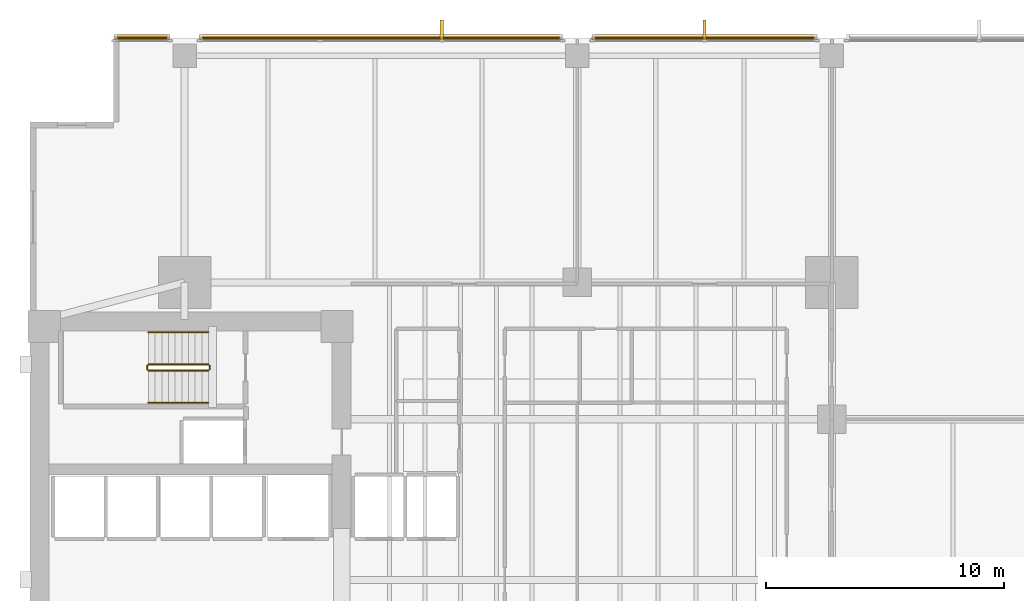
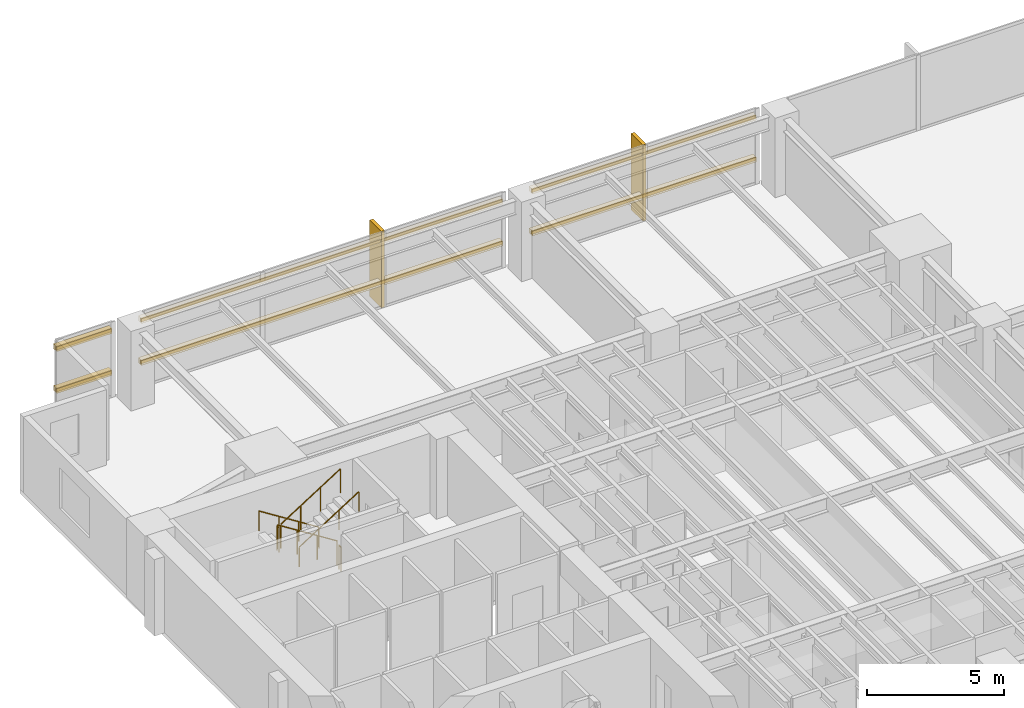
# One storey, part 14 of 15: 8 coverings, 6 railings, 6 shading devices.
"""IFC4 building model written with IfcOpenShell, lengths in metres."""

from ifc_helpers import new_model, si_unit, direction, frame, origin, origin_2d, place, context, subcontext, project, spatial, polyline, rectangle, circle, outline, extrude, material, layer, layer_set, material_profile, profile_set, type_object, element, save


model = new_model("IFC4")

# Units and contexts
model_context = context("Model", 3, precision=1e-05, world=origin(), true_north=direction((0.0, 1.0)))
body_context = subcontext(model_context, "Body", "Model", "MODEL_VIEW")
ifc_project = project(units=[si_unit("LENGTHUNIT", "METRE"), si_unit("AREAUNIT", "SQUARE_METRE"), si_unit("VOLUMEUNIT", "CUBIC_METRE"), si_unit("PLANEANGLEUNIT", "RADIAN"), si_unit("MASSUNIT", "GRAM", prefix="KILO")], contexts=[model_context])

# Site, building, storey
site_placement = place(None, origin())
site = spatial("IfcSite", under=ifc_project, at=site_placement, CompositionType="ELEMENT")
building_placement = place(site_placement, origin())
building = spatial("IfcBuilding", under=site, at=building_placement, Name="Kinhvarn Gate Tower", CompositionType="ELEMENT")
storey_placement = place(building_placement, frame((0.0, 0.0, 29.14990234375)))
storey = spatial("IfcBuildingStorey", under=building, at=storey_placement, Name="L06", CompositionType="ELEMENT", Elevation=29.14990234375)

# Coverings
ifc_material_1 = material(Name="Fired architectural terracotta", Category="masonry")
ifc_layer_1 = layer(ifc_material_1, 0.239990234375)
ifc_layer_set_1 = layer_set([ifc_layer_1], Name="Fired architectural terracotta")
covering_type_1 = type_object("IfcCoveringType", Name="COV-BAG-220", PredefinedType="CLADDING", material=ifc_layer_set_1)
for number, where, name in (
    (1, (0.0, 0.0, 0.940185546875), "Terracotta Horizontal Sunscreen Band TBG-220 (L06)"),
    (2, (0.0, 0.0, 2.81005859375), "Terracotta Horizontal Sunscreen Band TBG-220 (L06)"),
):
    element("IfcCovering", number, at=place(storey_placement, frame(where)), inside=storey, type_object=covering_type_1, Name=name, PredefinedType="CLADDING", context=body_context, shape_type="SweptSolid", body=[
        extrude(outline(polyline([(37.580078125, 47.93994140625), (28.1201171875, 47.93994140625), (28.1201171875, 48.179931640625), (37.580078125, 48.179931640625), (37.580078125, 47.93994140625)])), origin(), (0.0, 0.0, 1.0), 0.219970703125),
    ])
for number, where, name in (
    (3, (0.0, 0.0, 0.940185546875), "Terracotta Horizontal Sunscreen Band TBG-220 (L06)"),
    (4, (0.0, 0.0, 2.81005859375), "Terracotta Horizontal Sunscreen Band TBG-220 (L06)"),
):
    element("IfcCovering", number, at=place(storey_placement, frame(where)), inside=storey, type_object=covering_type_1, Name=name, PredefinedType="CLADDING", context=body_context, shape_type="SweptSolid", body=[
        extrude(outline(polyline([(26.8798828125, 47.93994140625), (11.6201171875, 47.93994140625), (11.6201171875, 48.179931640625), (26.8798828125, 48.179931640625), (26.8798828125, 47.93994140625)])), origin(), (0.0, 0.0, 1.0), 0.219970703125),
    ])
for number, where, name in (
    (5, (0.0, 0.0, 0.940185546875), "Terracotta Horizontal Sunscreen Band TBG-220 (L06)"),
    (6, (0.0, 0.0, 2.81005859375), "Terracotta Horizontal Sunscreen Band TBG-220 (L06)"),
):
    element("IfcCovering", number, at=place(storey_placement, frame(where)), inside=storey, type_object=covering_type_1, Name=name, PredefinedType="CLADDING", context=body_context, shape_type="SweptSolid", body=[
        extrude(outline(polyline([(10.3798828125, 47.93994140625), (8.0400390625, 47.93994140625), (8.0400390625, 48.179931640625), (10.3798828125, 48.179931640625), (10.3798828125, 47.93994140625)])), origin(), (0.0, 0.0, 1.0), 0.219970703125),
    ])
ifc_layer_2 = layer(ifc_material_1, 0.139892578125)
ifc_layer_set_2 = layer_set([ifc_layer_2], Name="Fired architectural terracotta")
covering_type_2 = type_object("IfcCoveringType", Name="COV-FIN-850", PredefinedType="CLADDING", material=ifc_layer_set_2)
covering_1_placement = place(storey_placement, frame((0.0, 0.0, -0.02001953125)))
element("IfcCovering", 7, at=covering_1_placement, inside=storey, type_object=covering_type_2, Name="Vertical Terracotta Expressive Fin TFN-850 (L06)", PredefinedType="CLADDING", context=body_context, shape_type="SweptSolid", body=[
    extrude(outline(polyline([(32.919921875, 47.929931640625), (32.780029296875, 47.929931640625), (32.780029296875, 48.780029296875), (32.919921875, 48.780029296875), (32.919921875, 47.929931640625)])), origin(), (0.0, 0.0, 1.0), 3.41015625),
])
covering_2_placement = place(storey_placement, frame((0.0, 0.0, -0.02001953125)))
element("IfcCovering", 8, at=covering_2_placement, inside=storey, type_object=covering_type_2, Name="Vertical Terracotta Expressive Fin TFN-850 (L06)", PredefinedType="CLADDING", context=body_context, shape_type="SweptSolid", body=[
    extrude(outline(polyline([(21.876708984375, 47.929931640625), (21.73681640625, 47.929931640625), (21.73681640625, 48.780029296875), (21.876708984375, 48.780029296875), (21.876708984375, 47.929931640625)])), origin(), (0.0, 0.0, 1.0), 3.41015625),
])

# Railings
ifc_material_2 = material(Name="Steel S355", Category="steel")
railing_type_1 = type_object("IfcRailingType", Name="RL-ST-GRD", PredefinedType="BALUSTRADE", material=ifc_material_2)
railing_1_placement = place(storey_placement, frame((12.0, 34.300048828125, 0.177490234375)))
element("IfcRailing", 9, at=railing_1_placement, inside=storey, type_object=railing_type_1, Name="L06 ST2 stair guard 1", PredefinedType="BALUSTRADE", context=body_context, shape_type="SweptSolid", body=[
    extrude(circle(Radius=0.02392578125, at=origin_2d()), frame((0.0, 0.0, 1.076171875), z_axis=(-0.84456994832, 0.0, 0.535445237532), x_axis=(0.0, -1.0, 0.0)), (0.0, 0.0, 1.0), 2.98388671875),
    extrude(circle(Radius=0.02099609375, at=origin_2d()), origin(), (0.0, 0.0, 1.0), 1.052001953125),
    extrude(circle(Radius=0.02099609375, at=origin_2d()), frame((-0.840087890625, 0.0, 0.532470703125)), (0.0, 0.0, 1.0), 1.052001953125),
    extrude(circle(Radius=0.02099609375, at=origin_2d()), frame((-1.679931640625, 0.0, 1.065185546875)), (0.0, 0.0, 1.0), 1.052001953125),
    extrude(circle(Radius=0.02099609375, at=origin_2d()), frame((-2.52001953125, 0.0, 1.59765625)), (0.0, 0.0, 1.0), 1.052001953125),
])
railing_2_placement = place(storey_placement, frame((9.429931640625, 34.25, 1.775146484375)))
element("IfcRailing", 10, at=railing_2_placement, inside=storey, type_object=railing_type_1, Name="L06 ST2 stair guard 2", PredefinedType="BALUSTRADE", context=body_context, shape_type="SweptSolid", body=[
    extrude(circle(Radius=0.02392578125, at=origin_2d()), frame((0.0, 0.0, 1.076171875), z_axis=(0.0, -1.0, 0.0), x_axis=(1.0, 0.0, 0.0)), (0.0, 0.0, 1.0), 0.14990234375),
    extrude(circle(Radius=0.02099609375, at=origin_2d()), origin(), (0.0, 0.0, 1.0), 1.052001953125),
    extrude(circle(Radius=0.02099609375, at=origin_2d()), frame((0.0, -0.14990234375, 0.0)), (0.0, 0.0, 1.0), 1.052001953125),
])
railing_3_placement = place(storey_placement, frame((9.47998046875, 34.050048828125, 1.95263671875)))
element("IfcRailing", 11, at=railing_3_placement, inside=storey, type_object=railing_type_1, Name="L06 ST2 stair guard 3", PredefinedType="BALUSTRADE", context=body_context, shape_type="SweptSolid", body=[
    extrude(circle(Radius=0.02392578125, at=origin_2d()), frame((0.0, 0.0, 1.076171875), z_axis=(0.84460694969, 0.0, 0.535386869969), x_axis=(0.0, 1.0, 0.0)), (0.0, 0.0, 1.0), 2.983642578125),
    extrude(circle(Radius=0.02099609375, at=origin_2d()), origin(), (0.0, 0.0, 1.0), 1.052001953125),
    extrude(circle(Radius=0.02099609375, at=origin_2d()), frame((0.840087890625, 0.0, 0.532470703125)), (0.0, 0.0, 1.0), 1.052001953125),
    extrude(circle(Radius=0.02099609375, at=origin_2d()), frame((1.679931640625, 0.0, 1.06494140625)), (0.0, 0.0, 1.0), 1.052001953125),
    extrude(circle(Radius=0.02099609375, at=origin_2d()), frame((2.52001953125, 0.0, 1.597412109375)), (0.0, 0.0, 1.0), 1.052001953125),
])
railing_4_placement = place(storey_placement, frame((12.050048828125, 34.25, 0.0)))
element("IfcRailing", 12, at=railing_4_placement, inside=storey, type_object=railing_type_1, Name="L06 ST2 stair guard 4", PredefinedType="BALUSTRADE", context=body_context, shape_type="SweptSolid", body=[
    extrude(circle(Radius=0.02392578125, at=origin_2d()), frame((0.0, 0.0, 1.076171875), z_axis=(0.0, -1.0, 0.0), x_axis=(1.0, 0.0, 0.0)), (0.0, 0.0, 1.0), 0.14990234375),
    extrude(circle(Radius=0.02099609375, at=origin_2d()), origin(), (0.0, 0.0, 1.0), 1.052001953125),
    extrude(circle(Radius=0.02099609375, at=origin_2d()), frame((0.0, -0.14990234375, 0.0)), (0.0, 0.0, 1.0), 1.052001953125),
])
railing_type_2 = type_object("IfcRailingType", Name="RL-ST-HND", PredefinedType="HANDRAIL", material=ifc_material_2)
railing_5_placement = place(storey_placement, frame((12.0, 35.64990234375, 0.177490234375)))
element("IfcRailing", 13, at=railing_5_placement, inside=storey, type_object=railing_type_2, Name="L06 ST2 stair handrail 1", PredefinedType="HANDRAIL", context=body_context, shape_type="SweptSolid", body=[
    extrude(circle(Radius=0.02392578125, at=origin_2d()), frame((0.0, 0.0, 0.8759765625), z_axis=(-0.84456994832, 0.0, 0.535445237532), x_axis=(0.0, -1.0, 0.0)), (0.0, 0.0, 1.0), 2.98388671875),
    extrude(circle(Radius=0.02099609375, at=origin_2d()), origin(), (0.0, 0.0, 1.0), 0.851806640625),
    extrude(circle(Radius=0.02099609375, at=origin_2d()), frame((-0.840087890625, 0.0, 0.532470703125)), (0.0, 0.0, 1.0), 0.851806640625),
    extrude(circle(Radius=0.02099609375, at=origin_2d()), frame((-1.679931640625, 0.0, 1.065185546875)), (0.0, 0.0, 1.0), 0.851806640625),
    extrude(circle(Radius=0.02099609375, at=origin_2d()), frame((-2.52001953125, 0.0, 1.59765625)), (0.0, 0.0, 1.0), 0.851806640625),
])
railing_6_placement = place(storey_placement, frame((9.47998046875, 32.699951171875, 1.95263671875)))
element("IfcRailing", 14, at=railing_6_placement, inside=storey, type_object=railing_type_2, Name="L06 ST2 stair handrail 2", PredefinedType="HANDRAIL", context=body_context, shape_type="SweptSolid", body=[
    extrude(circle(Radius=0.02392578125, at=origin_2d()), frame((0.0, 0.0, 0.8759765625), z_axis=(0.84460694969, 0.0, 0.535386869969), x_axis=(0.0, 1.0, 0.0)), (0.0, 0.0, 1.0), 2.983642578125),
    extrude(circle(Radius=0.02099609375, at=origin_2d()), origin(), (0.0, 0.0, 1.0), 0.851806640625),
    extrude(circle(Radius=0.02099609375, at=origin_2d()), frame((0.840087890625, 0.0, 0.532470703125)), (0.0, 0.0, 1.0), 0.851806640625),
    extrude(circle(Radius=0.02099609375, at=origin_2d()), frame((1.679931640625, 0.0, 1.06494140625)), (0.0, 0.0, 1.0), 0.851806640625),
    extrude(circle(Radius=0.02099609375, at=origin_2d()), frame((2.52001953125, 0.0, 1.597412109375)), (0.0, 0.0, 1.0), 0.851806640625),
])

# Shading devices
ifc_material_profile = material_profile(ifc_material_1, rectangle(XDim=0.06005859375, YDim=0.139892578125, at=origin_2d()), Name="TC 60x140")
ifc_profile_set = profile_set([ifc_material_profile], Name="Fired architectural terracotta")
shading_device_type = type_object("IfcShadingDeviceType", Name="SHD-BAG-180", PredefinedType="USERDEFINED", material=ifc_profile_set)
for number, where, z_axis, x_axis, name in (
    (15, (37.580078125, 48.014892578125, 1.050048828125), (-1.0, 0.0, 0.0), (0.0, -1.0, 0.0), "Fired Terracotta Baguette Screen Rod 60x140 mm (L06)"),
    (16, (37.580078125, 48.014892578125, 2.920166015625), (-1.0, 0.0, 0.0), (0.0, -1.0, 0.0), "Fired Terracotta Baguette Screen Rod 60x140 mm (L06)"),
):
    element("IfcShadingDevice", number, at=place(storey_placement, frame(where, z_axis=z_axis, x_axis=x_axis)), inside=storey, type_object=shading_device_type, Name=name, ObjectType="BAGUETTE", PredefinedType="USERDEFINED", context=body_context, shape_type="SweptSolid", body=[
        extrude(rectangle(XDim=0.06005859375, YDim=0.139892578125, at=origin_2d()), origin(), (0.0, 0.0, 1.0), 9.4599609375),
    ])
for number, where, z_axis, x_axis, name in (
    (17, (26.8798828125, 48.014892578125, 1.050048828125), (-1.0, 0.0, 0.0), (0.0, -1.0, 0.0), "Fired Terracotta Baguette Screen Rod 60x140 mm (L06)"),
    (18, (26.8798828125, 48.014892578125, 2.920166015625), (-1.0, 0.0, 0.0), (0.0, -1.0, 0.0), "Fired Terracotta Baguette Screen Rod 60x140 mm (L06)"),
):
    element("IfcShadingDevice", number, at=place(storey_placement, frame(where, z_axis=z_axis, x_axis=x_axis)), inside=storey, type_object=shading_device_type, Name=name, ObjectType="BAGUETTE", PredefinedType="USERDEFINED", context=body_context, shape_type="SweptSolid", body=[
        extrude(rectangle(XDim=0.06005859375, YDim=0.139892578125, at=origin_2d()), origin(), (0.0, 0.0, 1.0), 15.259765625),
    ])
for number, where, z_axis, x_axis, name in (
    (19, (10.3798828125, 48.014892578125, 1.050048828125), (-1.0, 0.0, 0.0), (0.0, -1.0, 0.0), "Fired Terracotta Baguette Screen Rod 60x140 mm (L06)"),
    (20, (10.3798828125, 48.014892578125, 2.920166015625), (-1.0, 0.0, 0.0), (0.0, -1.0, 0.0), "Fired Terracotta Baguette Screen Rod 60x140 mm (L06)"),
):
    element("IfcShadingDevice", number, at=place(storey_placement, frame(where, z_axis=z_axis, x_axis=x_axis)), inside=storey, type_object=shading_device_type, Name=name, ObjectType="BAGUETTE", PredefinedType="USERDEFINED", context=body_context, shape_type="SweptSolid", body=[
        extrude(rectangle(XDim=0.06005859375, YDim=0.139892578125, at=origin_2d()), origin(), (0.0, 0.0, 1.0), 2.33984375),
    ])

save(model, "model.ifc")
